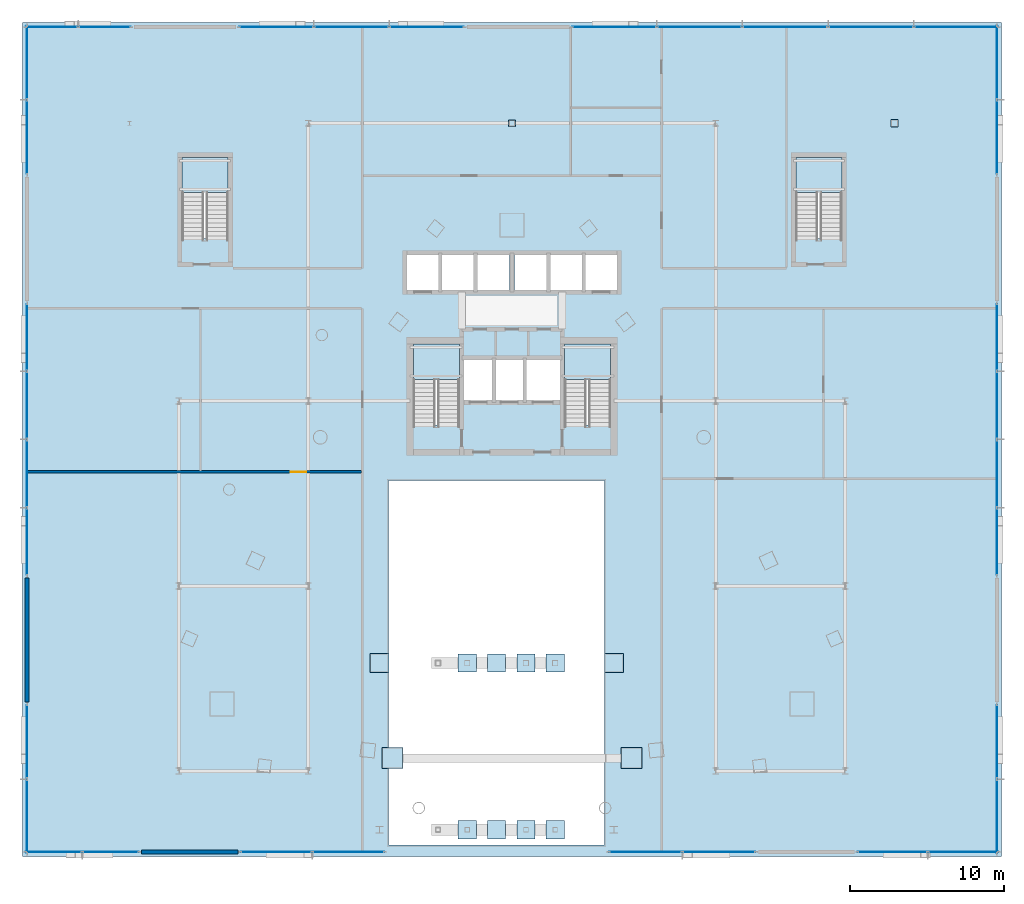
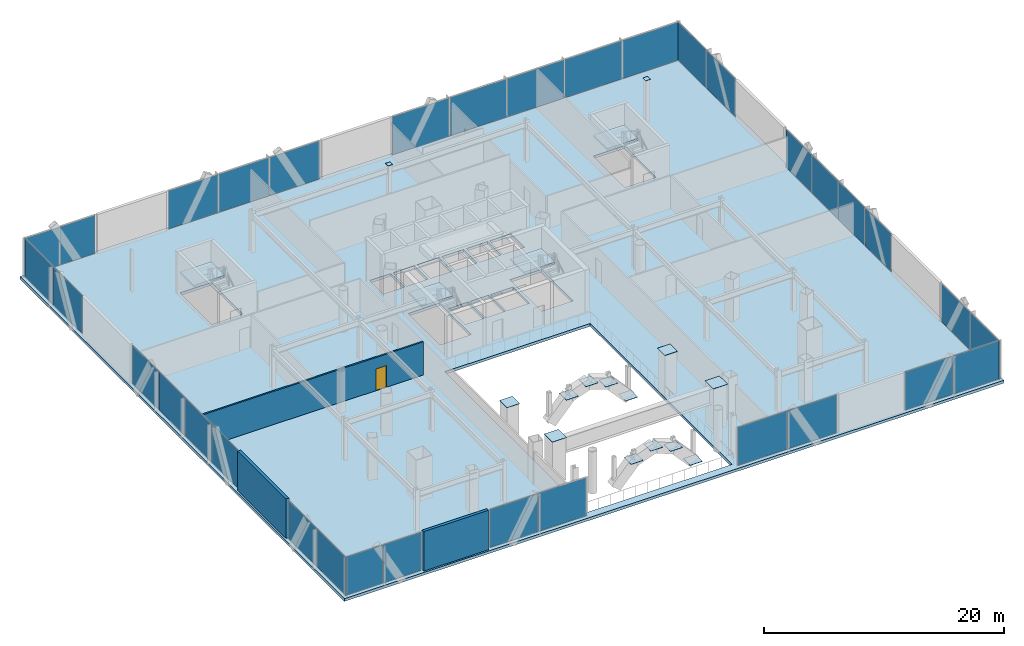
# One storey, part 32 of 42: 48 plates, 5 slabs, 3 walls, 1 door, 1 opening, 17 elements without a shape of their own.
"""IFC4 building model written with IfcOpenShell, lengths in metres."""

import ifcopenshell
import ifcopenshell.guid

model = None  # the IFC model being written
_history = None  # IfcOwnerHistory: only IFC2X3 demands one
_inside = {}  # id of a spatial element -> (the spatial element, [elements in it])
_under = {}  # id of a project, library or spatial element -> (it, [spatial elements below it])
_declared = {}  # id of a project -> (the project, [libraries it declares])
_typed = {}  # id of a type object -> (the type object, [elements of that type])
_made_of = {}  # id of a material, layer set ... -> (it, [elements and type objects made of it])


def new_model(schema):
    """Start an empty IFC model of exactly this schema.

    Asked for "IFC4X3", IfcOpenShell would pick the latest addendum, in which some entities
    have other attributes; the version numbers below select the first issue.
    IFC2X3 requires an IfcOwnerHistory on every rooted entity: one is made here for all.
    """
    global model, _history
    if schema == "IFC4X3":
        model = ifcopenshell.file(schema_version=(4, 3, 0, 0))
    else:
        model = ifcopenshell.file(schema=schema)
    _inside.clear()
    _under.clear()
    _declared.clear()
    _typed.clear()
    _made_of.clear()
    _history = None
    if model.schema == "IFC2X3":
        org = make("IfcOrganization", Name="unknown")
        user = make(
            "IfcPersonAndOrganization",
            ThePerson=make("IfcPerson", FamilyName="unknown"),
            TheOrganization=org,
        )
        app = make(
            "IfcApplication",
            ApplicationDeveloper=org,
            Version="unknown",
            ApplicationFullName="unknown",
            ApplicationIdentifier="unknown",
        )
        _history = make(
            "IfcOwnerHistory",
            OwningUser=user,
            OwningApplication=app,
            ChangeAction="ADDED",
            CreationDate=0,
        )
    return model


def make(cls, **values):
    """One entity of the class cls with the attributes given. An attribute that is None is left unset."""
    return model.create_entity(
        cls, **{name: value for name, value in values.items() if value is not None}
    )


def rooted(cls, **values):
    """An entity with a GlobalId (a new one), such as an element, a storey or a relation."""
    return make(cls, GlobalId=ifcopenshell.guid.new(), OwnerHistory=_history, **values)


def si_unit(unit_type, name, prefix=None):
    """IfcSIUnit, for example si_unit("LENGTHUNIT", "METRE", prefix="MILLI")."""
    return make("IfcSIUnit", UnitType=unit_type, Prefix=prefix, Name=name)


def assignment(units):
    """IfcUnitAssignment: the units of a project."""
    return None if units is None else make("IfcUnitAssignment", Units=units)


def point(xyz):
    """IfcCartesianPoint."""
    return None if xyz is None else make("IfcCartesianPoint", Coordinates=xyz)


def direction(xyz):
    """IfcDirection."""
    return None if xyz is None else make("IfcDirection", DirectionRatios=xyz)


def frame(location, z_axis=None, x_axis=None):
    """IfcAxis2Placement3D, a coordinate frame: its origin and axes. An axis left out is left unset."""
    return make(
        "IfcAxis2Placement3D",
        Location=point(location),
        Axis=direction(z_axis),
        RefDirection=direction(x_axis),
    )


def frame_2d(location, x_axis=None):
    """IfcAxis2Placement2D, a coordinate frame in the plane: its origin and x axis."""
    return make(
        "IfcAxis2Placement2D", Location=point(location), RefDirection=direction(x_axis)
    )


def origin():
    """The frame at (0, 0, 0) with its axes left unset."""
    return frame((0.0, 0.0, 0.0))


def origin_2d():
    """The frame at (0, 0) in the plane with its x axis left unset."""
    return frame_2d((0.0, 0.0))


def place(relative_to, where):
    """IfcLocalPlacement: puts the frame where relative to a parent placement (None: the world)."""
    return make(
        "IfcLocalPlacement", PlacementRelTo=relative_to, RelativePlacement=where
    )


def context(
    kind, dimensions, precision=None, world=None, true_north=None, identifier=None
):
    """IfcGeometricRepresentationContext, for example the 3D "Model" context."""
    return make(
        "IfcGeometricRepresentationContext",
        ContextIdentifier=identifier,
        ContextType=kind,
        CoordinateSpaceDimension=dimensions,
        Precision=precision,
        WorldCoordinateSystem=world,
        TrueNorth=true_north,
    )


def subcontext(parent, identifier, kind, view, scale=None):
    """IfcGeometricRepresentationSubContext, for example "Body" below "Model"."""
    return make(
        "IfcGeometricRepresentationSubContext",
        ContextIdentifier=identifier,
        ContextType=kind,
        ParentContext=parent,
        TargetScale=scale,
        TargetView=view,
    )


def project(units=None, contexts=None):
    """IfcProject with its units and contexts."""
    return rooted(
        "IfcProject",
        Name="project",
        RepresentationContexts=contexts,
        UnitsInContext=assignment(units),
    )


def spatial(cls, under=None, at=None, **own):
    """A site, building, storey or space (cls), placed at a placement, below another one or the project."""
    s = rooted(cls, ObjectPlacement=at, **own)
    if under is not None:
        _under.setdefault(under.id(), (under, []))[1].append(s)
    return s


def polyline(points):
    """IfcPolyline through the points."""
    return make("IfcPolyline", Points=[point(p) for p in points])


def profile(cls, at=None, kind="AREA", **sizes):
    """A parametric profile (cls). Its sizes go by their IFC names, for example OverallWidth=200.0."""
    return make(cls, ProfileType=kind, Position=at, **sizes)


def rectangle(**sizes):
    """IfcRectangleProfileDef."""
    return profile("IfcRectangleProfileDef", **sizes)


def outline(outer, holes=None, kind="AREA"):
    """IfcArbitraryClosedProfileDef: a profile drawn as a closed curve; with holes, ...WithVoids."""
    if holes is None:
        return make("IfcArbitraryClosedProfileDef", ProfileType=kind, OuterCurve=outer)
    return make(
        "IfcArbitraryProfileDefWithVoids",
        ProfileType=kind,
        OuterCurve=outer,
        InnerCurves=holes,
    )


def extrude(swept, where, along, depth):
    """IfcExtrudedAreaSolid: the profile swept, set in the frame where, extruded along a direction by depth."""
    return make(
        "IfcExtrudedAreaSolid",
        SweptArea=swept,
        Position=where,
        ExtrudedDirection=direction(along),
        Depth=depth,
    )


def shape(context_of_items, identifier, shape_type, items):
    """IfcShapeRepresentation: the items that make up one representation, for example the "Body"."""
    return make(
        "IfcShapeRepresentation",
        ContextOfItems=context_of_items,
        RepresentationIdentifier=identifier,
        RepresentationType=shape_type,
        Items=items,
    )


def material(Name=None, Category=None):
    """IfcMaterial."""
    return make("IfcMaterial", Name=Name, Category=Category)


def layer(
    of_material, thickness, ventilated=None, Name=None, Category=None, Priority=None
):
    """IfcMaterialLayer: one layer of a wall or slab, of a material (None: an air gap)."""
    return make(
        "IfcMaterialLayer",
        Material=of_material,
        LayerThickness=thickness,
        IsVentilated=ventilated,
        Name=Name,
        Category=Category,
        Priority=Priority,
    )


def layer_set(layers, Name=None):
    """IfcMaterialLayerSet."""
    return make("IfcMaterialLayerSet", MaterialLayers=layers, LayerSetName=Name)


def made_of(thing, what):
    """Note that an element or type object is made of a material, layer set ...; save() writes the relation."""
    if what is not None:
        _made_of.setdefault(what.id(), (what, []))[1].append(thing)
    return thing


def type_object(cls, material=None, **own):
    """A type object (cls), such as IfcWallType, which elements share."""
    return made_of(rooted(cls, **own), material)


def element(
    cls,
    number,
    at=None,
    inside=None,
    cuts=None,
    type_object=None,
    material=None,
    context=None,
    identifier="Body",
    shape_type=None,
    held_by="IfcProductDefinitionShape",
    body=None,
    shapes=None,
    **own,
):
    """One element of the class cls, such as IfcWall. Its Tag is "e" and its number.

    at: its placement. inside: the storey or other place that contains it. cuts: it is an
    opening in that element (IfcRelVoidsElement). A single representation is given by context,
    identifier, shape_type and body (its items); several are given by shapes. held_by: the class
    of the entity that holds the representations. save() writes the other relations.
    """
    e = rooted(cls, Tag="e%d" % number, ObjectPlacement=at, **own)
    if body is not None:
        shapes = [shape(context, identifier, shape_type, body)]
    if shapes is not None:
        e.Representation = make(held_by, Representations=shapes)
    if inside is not None:
        _inside.setdefault(inside.id(), (inside, []))[1].append(e)
    if cuts is not None:
        rooted(
            "IfcRelVoidsElement", RelatingBuildingElement=cuts, RelatedOpeningElement=e
        )
    if type_object is not None:
        _typed.setdefault(type_object.id(), (type_object, []))[1].append(e)
    return made_of(e, material)


def fill(opening, filler):
    """IfcRelFillsElement: the door or window that sits in an opening."""
    return rooted(
        "IfcRelFillsElement",
        RelatingOpeningElement=opening,
        RelatedBuildingElement=filler,
    )


def aggregate(whole, parts):
    """IfcRelAggregates: a whole, such as a stair, and the parts it consists of."""
    return rooted("IfcRelAggregates", RelatingObject=whole, RelatedObjects=parts)


def save(model, path):
    """Write the relations noted so far, then the file.

    IfcRelAggregates (storeys below a building ...), IfcRelContainedInSpatialStructure (elements
    in a storey), IfcRelDefinesByType, IfcRelAssociatesMaterial and IfcRelDeclares: one each for
    every whole, place, type object, material and project.
    """
    for whole, parts in _under.values():
        aggregate(whole, parts)
    for where, things in _inside.values():
        rooted(
            "IfcRelContainedInSpatialStructure",
            RelatedElements=things,
            RelatingStructure=where,
        )
    for kind, things in _typed.values():
        rooted("IfcRelDefinesByType", RelatedObjects=things, RelatingType=kind)
    for what, things in _made_of.values():
        rooted("IfcRelAssociatesMaterial", RelatedObjects=things, RelatingMaterial=what)
    for by, libraries in _declared.values():
        rooted("IfcRelDeclares", RelatingContext=by, RelatedDefinitions=libraries)
    model.write(path)


model = new_model("IFC4")

# Units and contexts
model_context = context("Model", 3, precision=1e-05, world=origin(), true_north=direction((0.0, 1.0)))
body_context = subcontext(model_context, "Body", "Model", "MODEL_VIEW")
ifc_project = project(units=[si_unit("LENGTHUNIT", "METRE"), si_unit("AREAUNIT", "SQUARE_METRE"), si_unit("VOLUMEUNIT", "CUBIC_METRE"), si_unit("PLANEANGLEUNIT", "RADIAN"), si_unit("MASSUNIT", "GRAM", prefix="KILO")], contexts=[model_context])

# Site, building, storey
site_placement = place(None, origin())
site = spatial("IfcSite", under=ifc_project, at=site_placement, CompositionType="ELEMENT")
building_placement = place(site_placement, origin())
building = spatial("IfcBuilding", under=site, at=building_placement, Name="Orvanel Arch Residences", CompositionType="ELEMENT")
storey_placement = place(building_placement, frame((0.0, 0.0, 9.800048828125)))
storey = spatial("IfcBuildingStorey", under=building, at=storey_placement, Name="L02", CompositionType="ELEMENT", Elevation=9.800048828125)

# Plates
ifc_material_1 = material(Name="Structural steel AS/NZS 3678 Grade 350", Category="steel")
ifc_layer_1 = layer(ifc_material_1, 0.028076171875)
ifc_layer_set_1 = layer_set([ifc_layer_1], Name="Structural steel AS/NZS 3678 Grade 350")
plate_type_1 = type_object("IfcPlateType", Name="PL-CAP-28", PredefinedType="SHEET", material=ifc_layer_set_1)
for number, where, z_axis, x_axis, name in (
    (1, (25.25, 6.843994140625, 4.2861328125), (0.0, 0.0, 1.0), (1.0, 0.0, 0.0), "L02 hollow member end cap plate"),
    (2, (40.75, 6.843994140625, 4.2861328125), (0.0, 0.0, 1.0), (1.0, 0.0, 0.0), "L02 hollow member end cap plate"),
):
    element("IfcPlate", number, at=place(storey_placement, frame(where, z_axis=z_axis, x_axis=x_axis)), inside=storey, type_object=plate_type_1, Name=name, PredefinedType="SHEET", context=body_context, shape_type="SweptSolid", body=[
        extrude(rectangle(XDim=1.3798828125, YDim=1.3798828125, at=origin_2d()), origin(), (0.0, 0.0, 1.0), 0.028076171875),
    ])
for number, where, z_axis, x_axis, name in (
    (3, (24.39990234375, 13.0, 4.2861328125), (0.0, 0.0, 1.0), (1.0, 0.0, 0.0), "L02 hollow member end cap plate"),
    (4, (39.60009765625, 13.0, 4.2861328125), (0.0, 0.0, 1.0), (1.0, 0.0, 0.0), "L02 hollow member end cap plate"),
):
    element("IfcPlate", number, at=place(storey_placement, frame(where, z_axis=z_axis, x_axis=x_axis)), inside=storey, type_object=plate_type_1, Name=name, PredefinedType="SHEET", context=body_context, shape_type="SweptSolid", body=[
        extrude(rectangle(XDim=1.22998046875, YDim=1.22998046875, at=origin_2d()), origin(), (0.0, 0.0, 1.0), 0.028076171875),
    ])
for number, where, z_axis, x_axis, name in (
    (5, (30.10009765625, 13.0, 3.0390625), (0.0, 0.0, 1.0), (1.0, 0.0, 0.0), "L02 hollow member end cap plate"),
    (6, (32.0, 13.0, 3.73583984375), (0.0, 0.0, 1.0), (1.0, 0.0, 0.0), "L02 hollow member end cap plate"),
    (7, (33.89990234375, 13.0, 3.0390625), (0.0, 0.0, 1.0), (1.0, 0.0, 0.0), "L02 hollow member end cap plate"),
    (8, (35.800048828125, 13.0, 0.94873046875), (0.0, 0.0, 1.0), (1.0, 0.0, 0.0), "L02 hollow member end cap plate"),
):
    element("IfcPlate", number, at=place(storey_placement, frame(where, z_axis=z_axis, x_axis=x_axis)), inside=storey, type_object=plate_type_1, Name=name, PredefinedType="SHEET", context=body_context, shape_type="SweptSolid", body=[
        extrude(rectangle(XDim=1.179931640625, YDim=1.179931640625, at=origin_2d()), origin(), (0.0, 0.0, 1.0), 0.028076171875),
    ])
plate_1_placement = place(storey_placement, frame((57.800048828125, 48.0, 4.2861328125), z_axis=(0.0, 0.0, 1.0), x_axis=(1.0, 0.0, 0.0)))
element("IfcPlate", 9, at=plate_1_placement, inside=storey, type_object=plate_type_1, Name="L02 hollow member end cap plate", PredefinedType="SHEET", context=body_context, shape_type="SweptSolid", body=[
    extrude(rectangle(XDim=0.47998046875, YDim=0.47998046875, at=origin_2d()), origin(), (0.0, 0.0, 1.0), 0.028076171875),
])
plate_2_placement = place(storey_placement, frame((33.0, 48.0, 4.2861328125), z_axis=(0.0, 0.0, 1.0), x_axis=(1.0, 0.0, 0.0)))
element("IfcPlate", 10, at=plate_2_placement, inside=storey, type_object=plate_type_1, Name="L02 hollow member end cap plate", PredefinedType="SHEET", context=body_context, shape_type="SweptSolid", body=[
    extrude(rectangle(XDim=0.429931640625, YDim=0.429931640625, at=origin_2d()), origin(), (0.0, 0.0, 1.0), 0.028076171875),
])
ifc_layer_2 = layer(ifc_material_1, 0.031982421875)
ifc_layer_set_2 = layer_set([ifc_layer_2], Name="Structural steel AS/NZS 3678 Grade 350")
plate_type_2 = type_object("IfcPlateType", Name="PL-CAP-32", PredefinedType="SHEET", material=ifc_layer_set_2)
for number, where, z_axis, x_axis, name in (
    (11, (30.10009765625, 2.199951171875, 3.037109375), (0.0, 0.0, 1.0), (1.0, 0.0, 0.0), "L02 hollow member end cap plate"),
    (12, (32.0, 2.199951171875, 3.73388671875), (0.0, 0.0, 1.0), (1.0, 0.0, 0.0), "L02 hollow member end cap plate"),
    (13, (33.89990234375, 2.199951171875, 3.037109375), (0.0, 0.0, 1.0), (1.0, 0.0, 0.0), "L02 hollow member end cap plate"),
    (14, (35.800048828125, 2.199951171875, 0.94677734375), (0.0, 0.0, 1.0), (1.0, 0.0, 0.0), "L02 hollow member end cap plate"),
):
    element("IfcPlate", number, at=place(storey_placement, frame(where, z_axis=z_axis, x_axis=x_axis)), inside=storey, type_object=plate_type_2, Name=name, PredefinedType="SHEET", context=body_context, shape_type="SweptSolid", body=[
        extrude(rectangle(XDim=1.179931640625, YDim=1.179931640625, at=origin_2d()), origin(), (0.0, 0.0, 1.0), 0.031982421875),
    ])

# Curtain wall, plates
ifc_material_2 = material(Name="Bronze-anodised aluminium AA6063-T6", Category="aluminium")
ifc_layer_3 = layer(ifc_material_2, 0.199951171875)
ifc_layer_set_3 = layer_set([ifc_layer_3], Name="Bronze-anodised aluminium AA6063-T6")
curtain_wall_type = type_object("IfcCurtainWallType", Name="CW1-POD-SYS", PredefinedType="NOTDEFINED", material=ifc_layer_set_3)
curtain_wall_1_placement = place(storey_placement, origin())
curtain_wall_1 = element("IfcCurtainWall", 15, at=curtain_wall_1_placement, inside=storey, type_object=curtain_wall_type, Name="L02 CW1-POD-SYS Unitised Curtain Wall", PredefinedType="NOTDEFINED")
ifc_material_3 = material(Name="Double-glazed solar-control low-E safety glass", Category="glass")
ifc_layer_4 = layer(ifc_material_3, 0.031982421875)
ifc_layer_set_4 = layer_set([ifc_layer_4], Name="Double-glazed solar-control low-E safety glass")
plate_type_3 = type_object("IfcPlateType", Name="PNL-GLZ-32", PredefinedType="CURTAIN_PANEL", material=ifc_layer_set_4)
plate_3_placement = place(storey_placement, frame((3.291259765625, 0.75, 0.06494140625), z_axis=(0.0, 0.0, 1.0), x_axis=(1.0, 0.0, 0.0)))
plate_3 = element("IfcPlate", 16, at=plate_3_placement, type_object=plate_type_3, Name="CW-S1 panel 1.1", PredefinedType="CURTAIN_PANEL", context=body_context, shape_type="SweptSolid", body=[
    extrude(rectangle(XDim=3.612548828125, YDim=0.031982421875, at=origin_2d()), origin(), (0.0, 0.0, 1.0), 3.889892578125),
])
plate_4_placement = place(storey_placement, frame((6.978759765625, 0.75, 0.06494140625), z_axis=(0.0, 0.0, 1.0), x_axis=(1.0, 0.0, 0.0)))
plate_4 = element("IfcPlate", 17, at=plate_4_placement, type_object=plate_type_3, Name="CW-S1 panel 2.1", PredefinedType="CURTAIN_PANEL", context=body_context, shape_type="SweptSolid", body=[
    extrude(rectangle(XDim=3.612548828125, YDim=0.031982421875, at=origin_2d()), origin(), (0.0, 0.0, 1.0), 3.889892578125),
])
aggregate(curtain_wall_1, [plate_3, plate_4])

curtain_wall_2_placement = place(storey_placement, origin())
curtain_wall_2 = element("IfcCurtainWall", 18, at=curtain_wall_2_placement, inside=storey, type_object=curtain_wall_type, Name="L02 CW1-POD-SYS Unitised Curtain Wall", PredefinedType="NOTDEFINED")
plate_5_placement = place(storey_placement, frame((17.71875, 0.75, 0.06494140625), z_axis=(0.0, 0.0, 1.0), x_axis=(1.0, 0.0, 0.0)))
plate_5 = element("IfcPlate", 19, at=plate_5_placement, type_object=plate_type_3, Name="CW-S1 panel 1.1", PredefinedType="CURTAIN_PANEL", context=body_context, shape_type="SweptSolid", body=[
    extrude(rectangle(XDim=4.607421875, YDim=0.031982421875, at=origin_2d()), origin(), (0.0, 0.0, 1.0), 3.889892578125),
])
plate_6_placement = place(storey_placement, frame((22.4013671875, 0.75, 0.06494140625), z_axis=(0.0, 0.0, 1.0), x_axis=(1.0, 0.0, 0.0)))
plate_6 = element("IfcPlate", 20, at=plate_6_placement, type_object=plate_type_3, Name="CW-S1 panel 2.1", PredefinedType="CURTAIN_PANEL", context=body_context, shape_type="SweptSolid", body=[
    extrude(rectangle(XDim=4.607421875, YDim=0.031982421875, at=origin_2d()), origin(), (0.0, 0.0, 1.0), 3.889892578125),
])
aggregate(curtain_wall_2, [plate_5, plate_6])

curtain_wall_3_placement = place(storey_placement, origin())
curtain_wall_3 = element("IfcCurtainWall", 21, at=curtain_wall_3_placement, inside=storey, type_object=curtain_wall_type, Name="L02 CW1-POD-SYS Unitised Curtain Wall", PredefinedType="NOTDEFINED")
plate_7_placement = place(storey_placement, frame((41.648681640625, 0.75, 0.06494140625), z_axis=(0.0, 0.0, 1.0), x_axis=(1.0, 0.0, 0.0)))
plate_7 = element("IfcPlate", 22, at=plate_7_placement, type_object=plate_type_3, Name="CW-S1 panel 1.1", PredefinedType="CURTAIN_PANEL", context=body_context, shape_type="SweptSolid", body=[
    extrude(rectangle(XDim=4.70751953125, YDim=0.031982421875, at=origin_2d()), origin(), (0.0, 0.0, 1.0), 3.889892578125),
])
plate_8_placement = place(storey_placement, frame((46.43115234375, 0.75, 0.06494140625), z_axis=(0.0, 0.0, 1.0), x_axis=(1.0, 0.0, 0.0)))
plate_8 = element("IfcPlate", 23, at=plate_8_placement, type_object=plate_type_3, Name="CW-S1 panel 2.1", PredefinedType="CURTAIN_PANEL", context=body_context, shape_type="SweptSolid", body=[
    extrude(rectangle(XDim=4.70751953125, YDim=0.031982421875, at=origin_2d()), origin(), (0.0, 0.0, 1.0), 3.889892578125),
])
aggregate(curtain_wall_3, [plate_7, plate_8])

curtain_wall_4_placement = place(storey_placement, origin())
curtain_wall_4 = element("IfcCurtainWall", 24, at=curtain_wall_4_placement, inside=storey, type_object=curtain_wall_type, Name="L02 CW1-POD-SYS Unitised Curtain Wall", PredefinedType="NOTDEFINED")
plate_9_placement = place(storey_placement, frame((57.671142578125, 0.75, 0.06494140625), z_axis=(0.0, 0.0, 1.0), x_axis=(1.0, 0.0, 0.0)))
plate_9 = element("IfcPlate", 25, at=plate_9_placement, type_object=plate_type_3, Name="CW-S1 panel 1.1", PredefinedType="CURTAIN_PANEL", context=body_context, shape_type="SweptSolid", body=[
    extrude(rectangle(XDim=4.512451171875, YDim=0.031982421875, at=origin_2d()), origin(), (0.0, 0.0, 1.0), 3.889892578125),
])
plate_10_placement = place(storey_placement, frame((62.2587890625, 0.75, 0.06494140625), z_axis=(0.0, 0.0, 1.0), x_axis=(1.0, 0.0, 0.0)))
plate_10 = element("IfcPlate", 26, at=plate_10_placement, type_object=plate_type_3, Name="CW-S1 panel 2.1", PredefinedType="CURTAIN_PANEL", context=body_context, shape_type="SweptSolid", body=[
    extrude(rectangle(XDim=4.512451171875, YDim=0.031982421875, at=origin_2d()), origin(), (0.0, 0.0, 1.0), 3.889892578125),
])
aggregate(curtain_wall_4, [plate_9, plate_10])

curtain_wall_5_placement = place(storey_placement, origin())
curtain_wall_5 = element("IfcCurtainWall", 27, at=curtain_wall_5_placement, inside=storey, type_object=curtain_wall_type, Name="L02 CW1-POD-SYS Unitised Curtain Wall", PredefinedType="NOTDEFINED")
plate_11_placement = place(storey_placement, frame((61.796142578125, 54.25, 0.06494140625), z_axis=(0.0, 0.0, 1.0), x_axis=(-1.0, 0.0, 0.0)))
plate_11 = element("IfcPlate", 28, at=plate_11_placement, type_object=plate_type_3, Name="CW-S1 panel 1.1", PredefinedType="CURTAIN_PANEL", context=body_context, shape_type="SweptSolid", body=[
    extrude(rectangle(XDim=5.4375, YDim=0.031982421875, at=origin_2d()), origin(), (0.0, 0.0, 1.0), 3.889892578125),
])
plate_12_placement = place(storey_placement, frame((56.264892578125, 54.25, 0.06494140625), z_axis=(0.0, 0.0, 1.0), x_axis=(-1.0, 0.0, 0.0)))
plate_12 = element("IfcPlate", 29, at=plate_12_placement, type_object=plate_type_3, Name="CW-S1 panel 2.1", PredefinedType="CURTAIN_PANEL", context=body_context, shape_type="SweptSolid", body=[
    extrude(rectangle(XDim=5.47509765625, YDim=0.031982421875, at=origin_2d()), origin(), (0.0, 0.0, 1.0), 3.889892578125),
])
plate_13_placement = place(storey_placement, frame((50.715087890625, 54.25, 0.06494140625), z_axis=(0.0, 0.0, 1.0), x_axis=(-1.0, 0.0, 0.0)))
plate_13 = element("IfcPlate", 30, at=plate_13_placement, type_object=plate_type_3, Name="CW-S1 panel 3.1", PredefinedType="CURTAIN_PANEL", context=body_context, shape_type="SweptSolid", body=[
    extrude(rectangle(XDim=5.47509765625, YDim=0.031982421875, at=origin_2d()), origin(), (0.0, 0.0, 1.0), 3.889892578125),
])
plate_14_placement = place(storey_placement, frame((45.1650390625, 54.25, 0.06494140625), z_axis=(0.0, 0.0, 1.0), x_axis=(-1.0, 0.0, 0.0)))
plate_14 = element("IfcPlate", 31, at=plate_14_placement, type_object=plate_type_3, Name="CW-S1 panel 4.1", PredefinedType="CURTAIN_PANEL", context=body_context, shape_type="SweptSolid", body=[
    extrude(rectangle(XDim=5.47509765625, YDim=0.031982421875, at=origin_2d()), origin(), (0.0, 0.0, 1.0), 3.889892578125),
])
plate_15_placement = place(storey_placement, frame((39.6337890625, 54.25, 0.06494140625), z_axis=(0.0, 0.0, 1.0), x_axis=(-1.0, 0.0, 0.0)))
plate_15 = element("IfcPlate", 32, at=plate_15_placement, type_object=plate_type_3, Name="CW-S1 panel 5.1", PredefinedType="CURTAIN_PANEL", context=body_context, shape_type="SweptSolid", body=[
    extrude(rectangle(XDim=5.4375, YDim=0.031982421875, at=origin_2d()), origin(), (0.0, 0.0, 1.0), 3.889892578125),
])
aggregate(curtain_wall_5, [plate_11, plate_12, plate_13, plate_14, plate_15])

curtain_wall_6_placement = place(storey_placement, origin())
curtain_wall_6 = element("IfcCurtainWall", 33, at=curtain_wall_6_placement, inside=storey, type_object=curtain_wall_type, Name="L02 CW1-POD-SYS Unitised Curtain Wall", PredefinedType="NOTDEFINED")
plate_16_placement = place(storey_placement, frame((27.488037109375, 54.25, 0.06494140625), z_axis=(0.0, 0.0, 1.0), x_axis=(-1.0, 0.0, 0.0)))
plate_16 = element("IfcPlate", 34, at=plate_16_placement, type_object=plate_type_3, Name="CW-S1 panel 1.1", PredefinedType="CURTAIN_PANEL", context=body_context, shape_type="SweptSolid", body=[
    extrude(rectangle(XDim=4.794189453125, YDim=0.031982421875, at=origin_2d()), origin(), (0.0, 0.0, 1.0), 3.889892578125),
])
plate_17_placement = place(storey_placement, frame((22.60009765625, 54.25, 0.06494140625), z_axis=(0.0, 0.0, 1.0), x_axis=(-1.0, 0.0, 0.0)))
plate_17 = element("IfcPlate", 35, at=plate_17_placement, type_object=plate_type_3, Name="CW-S1 panel 2.1", PredefinedType="CURTAIN_PANEL", context=body_context, shape_type="SweptSolid", body=[
    extrude(rectangle(XDim=4.831787109375, YDim=0.031982421875, at=origin_2d()), origin(), (0.0, 0.0, 1.0), 3.889892578125),
])
plate_18_placement = place(storey_placement, frame((17.712158203125, 54.25, 0.06494140625), z_axis=(0.0, 0.0, 1.0), x_axis=(-1.0, 0.0, 0.0)))
plate_18 = element("IfcPlate", 36, at=plate_18_placement, type_object=plate_type_3, Name="CW-S1 panel 3.1", PredefinedType="CURTAIN_PANEL", context=body_context, shape_type="SweptSolid", body=[
    extrude(rectangle(XDim=4.794189453125, YDim=0.031982421875, at=origin_2d()), origin(), (0.0, 0.0, 1.0), 3.889892578125),
])
aggregate(curtain_wall_6, [plate_16, plate_17, plate_18])

curtain_wall_7_placement = place(storey_placement, origin())
curtain_wall_7 = element("IfcCurtainWall", 37, at=curtain_wall_7_placement, inside=storey, type_object=curtain_wall_type, Name="L02 CW1-POD-SYS Unitised Curtain Wall", PredefinedType="NOTDEFINED")
plate_19_placement = place(storey_placement, frame((6.603759765625, 54.25, 0.06494140625), z_axis=(0.0, 0.0, 1.0), x_axis=(-1.0, 0.0, 0.0)))
plate_19 = element("IfcPlate", 38, at=plate_19_placement, type_object=plate_type_3, Name="CW-S1 panel 1.1", PredefinedType="CURTAIN_PANEL", context=body_context, shape_type="SweptSolid", body=[
    extrude(rectangle(XDim=3.362548828125, YDim=0.031982421875, at=origin_2d()), origin(), (0.0, 0.0, 1.0), 3.889892578125),
])
plate_20_placement = place(storey_placement, frame((3.166259765625, 54.25, 0.06494140625), z_axis=(0.0, 0.0, 1.0), x_axis=(-1.0, 0.0, 0.0)))
plate_20 = element("IfcPlate", 39, at=plate_20_placement, type_object=plate_type_3, Name="CW-S1 panel 2.1", PredefinedType="CURTAIN_PANEL", context=body_context, shape_type="SweptSolid", body=[
    extrude(rectangle(XDim=3.362548828125, YDim=0.031982421875, at=origin_2d()), origin(), (0.0, 0.0, 1.0), 3.889892578125),
])
aggregate(curtain_wall_7, [plate_19, plate_20])

curtain_wall_8_placement = place(storey_placement, origin())
curtain_wall_8 = element("IfcCurtainWall", 40, at=curtain_wall_8_placement, inside=storey, type_object=curtain_wall_type, Name="L02 CW1-POD-SYS Unitised Curtain Wall", PredefinedType="NOTDEFINED")
plate_21_placement = place(storey_placement, frame((64.449951171875, 3.066162109375, 0.06494140625), z_axis=(0.0, 0.0, 1.0), x_axis=(0.0, 1.0, 0.0)))
plate_21 = element("IfcPlate", 41, at=plate_21_placement, type_object=plate_type_3, Name="CW-S1 panel 1.1", PredefinedType="CURTAIN_PANEL", context=body_context, shape_type="SweptSolid", body=[
    extrude(rectangle(XDim=4.762451171875, YDim=0.031982421875, at=origin_2d()), origin(), (0.0, 0.0, 1.0), 3.889892578125),
])
plate_22_placement = place(storey_placement, frame((64.449951171875, 7.90380859375, 0.06494140625), z_axis=(0.0, 0.0, 1.0), x_axis=(0.0, 1.0, 0.0)))
plate_22 = element("IfcPlate", 42, at=plate_22_placement, type_object=plate_type_3, Name="CW-S1 panel 2.1", PredefinedType="CURTAIN_PANEL", context=body_context, shape_type="SweptSolid", body=[
    extrude(rectangle(XDim=4.762451171875, YDim=0.031982421875, at=origin_2d()), origin(), (0.0, 0.0, 1.0), 3.889892578125),
])
aggregate(curtain_wall_8, [plate_21, plate_22])

curtain_wall_9_placement = place(storey_placement, origin())
curtain_wall_9 = element("IfcCurtainWall", 43, at=curtain_wall_9_placement, inside=storey, type_object=curtain_wall_type, Name="L02 CW1-POD-SYS Unitised Curtain Wall", PredefinedType="NOTDEFINED")
plate_23_placement = place(storey_placement, frame((64.449951171875, 20.873779296875, 0.06494140625), z_axis=(0.0, 0.0, 1.0), x_axis=(0.0, 1.0, 0.0)))
plate_23 = element("IfcPlate", 44, at=plate_23_placement, type_object=plate_type_3, Name="CW-S1 panel 1.1", PredefinedType="CURTAIN_PANEL", context=body_context, shape_type="SweptSolid", body=[
    extrude(rectangle(XDim=4.3173828125, YDim=0.031982421875, at=origin_2d()), origin(), (0.0, 0.0, 1.0), 3.889892578125),
])
plate_24_placement = place(storey_placement, frame((64.449951171875, 25.284912109375, 0.06494140625), z_axis=(0.0, 0.0, 1.0), x_axis=(0.0, 1.0, 0.0)))
plate_24 = element("IfcPlate", 45, at=plate_24_placement, type_object=plate_type_3, Name="CW-S1 panel 2.1", PredefinedType="CURTAIN_PANEL", context=body_context, shape_type="SweptSolid", body=[
    extrude(rectangle(XDim=4.35498046875, YDim=0.031982421875, at=origin_2d()), origin(), (0.0, 0.0, 1.0), 3.889892578125),
])
plate_25_placement = place(storey_placement, frame((64.449951171875, 29.715087890625, 0.06494140625), z_axis=(0.0, 0.0, 1.0), x_axis=(0.0, 1.0, 0.0)))
plate_25 = element("IfcPlate", 46, at=plate_25_placement, type_object=plate_type_3, Name="CW-S1 panel 3.1", PredefinedType="CURTAIN_PANEL", context=body_context, shape_type="SweptSolid", body=[
    extrude(rectangle(XDim=4.35498046875, YDim=0.031982421875, at=origin_2d()), origin(), (0.0, 0.0, 1.0), 3.889892578125),
])
plate_26_placement = place(storey_placement, frame((64.449951171875, 34.126220703125, 0.06494140625), z_axis=(0.0, 0.0, 1.0), x_axis=(0.0, 1.0, 0.0)))
plate_26 = element("IfcPlate", 47, at=plate_26_placement, type_object=plate_type_3, Name="CW-S1 panel 4.1", PredefinedType="CURTAIN_PANEL", context=body_context, shape_type="SweptSolid", body=[
    extrude(rectangle(XDim=4.3173828125, YDim=0.031982421875, at=origin_2d()), origin(), (0.0, 0.0, 1.0), 3.889892578125),
])
aggregate(curtain_wall_9, [plate_23, plate_24, plate_25, plate_26])

curtain_wall_10_placement = place(storey_placement, origin())
curtain_wall_10 = element("IfcCurtainWall", 48, at=curtain_wall_10_placement, inside=storey, type_object=curtain_wall_type, Name="L02 CW1-POD-SYS Unitised Curtain Wall", PredefinedType="NOTDEFINED")
plate_27_placement = place(storey_placement, frame((64.449951171875, 47.09619140625, 0.06494140625), z_axis=(0.0, 0.0, 1.0), x_axis=(0.0, 1.0, 0.0)))
plate_27 = element("IfcPlate", 49, at=plate_27_placement, type_object=plate_type_3, Name="CW-S1 panel 1.1", PredefinedType="CURTAIN_PANEL", context=body_context, shape_type="SweptSolid", body=[
    extrude(rectangle(XDim=4.762451171875, YDim=0.031982421875, at=origin_2d()), origin(), (0.0, 0.0, 1.0), 3.889892578125),
])
plate_28_placement = place(storey_placement, frame((64.449951171875, 51.933837890625, 0.06494140625), z_axis=(0.0, 0.0, 1.0), x_axis=(0.0, 1.0, 0.0)))
plate_28 = element("IfcPlate", 50, at=plate_28_placement, type_object=plate_type_3, Name="CW-S1 panel 2.1", PredefinedType="CURTAIN_PANEL", context=body_context, shape_type="SweptSolid", body=[
    extrude(rectangle(XDim=4.762451171875, YDim=0.031982421875, at=origin_2d()), origin(), (0.0, 0.0, 1.0), 3.889892578125),
])
aggregate(curtain_wall_10, [plate_27, plate_28])

curtain_wall_11_placement = place(storey_placement, origin())
curtain_wall_11 = element("IfcCurtainWall", 51, at=curtain_wall_11_placement, inside=storey, type_object=curtain_wall_type, Name="L02 CW1-POD-SYS Unitised Curtain Wall", PredefinedType="NOTDEFINED")
plate_29_placement = place(storey_placement, frame((1.550048828125, 7.90380859375, 0.06494140625), z_axis=(0.0, 0.0, 1.0), x_axis=(0.0, -1.0, 0.0)))
plate_29 = element("IfcPlate", 52, at=plate_29_placement, type_object=plate_type_3, Name="CW-S1 panel 1.1", PredefinedType="CURTAIN_PANEL", context=body_context, shape_type="SweptSolid", body=[
    extrude(rectangle(XDim=4.762451171875, YDim=0.031982421875, at=origin_2d()), origin(), (0.0, 0.0, 1.0), 3.889892578125),
])
plate_30_placement = place(storey_placement, frame((1.550048828125, 3.066162109375, 0.06494140625), z_axis=(0.0, 0.0, 1.0), x_axis=(0.0, -1.0, 0.0)))
plate_30 = element("IfcPlate", 53, at=plate_30_placement, type_object=plate_type_3, Name="CW-S1 panel 2.1", PredefinedType="CURTAIN_PANEL", context=body_context, shape_type="SweptSolid", body=[
    extrude(rectangle(XDim=4.762451171875, YDim=0.031982421875, at=origin_2d()), origin(), (0.0, 0.0, 1.0), 3.889892578125),
])
aggregate(curtain_wall_11, [plate_29, plate_30])

curtain_wall_12_placement = place(storey_placement, origin())
curtain_wall_12 = element("IfcCurtainWall", 54, at=curtain_wall_12_placement, inside=storey, type_object=curtain_wall_type, Name="L02 CW1-POD-SYS Unitised Curtain Wall", PredefinedType="NOTDEFINED")
plate_31_placement = place(storey_placement, frame((1.550048828125, 34.126220703125, 0.06494140625), z_axis=(0.0, 0.0, 1.0), x_axis=(0.0, -1.0, 0.0)))
plate_31 = element("IfcPlate", 55, at=plate_31_placement, type_object=plate_type_3, Name="CW-S1 panel 1.1", PredefinedType="CURTAIN_PANEL", context=body_context, shape_type="SweptSolid", body=[
    extrude(rectangle(XDim=4.3173828125, YDim=0.031982421875, at=origin_2d()), origin(), (0.0, 0.0, 1.0), 3.889892578125),
])
plate_32_placement = place(storey_placement, frame((1.550048828125, 29.715087890625, 0.06494140625), z_axis=(0.0, 0.0, 1.0), x_axis=(0.0, -1.0, 0.0)))
plate_32 = element("IfcPlate", 56, at=plate_32_placement, type_object=plate_type_3, Name="CW-S1 panel 2.1", PredefinedType="CURTAIN_PANEL", context=body_context, shape_type="SweptSolid", body=[
    extrude(rectangle(XDim=4.35498046875, YDim=0.031982421875, at=origin_2d()), origin(), (0.0, 0.0, 1.0), 3.889892578125),
])
plate_33_placement = place(storey_placement, frame((1.550048828125, 25.284912109375, 0.06494140625), z_axis=(0.0, 0.0, 1.0), x_axis=(0.0, -1.0, 0.0)))
plate_33 = element("IfcPlate", 57, at=plate_33_placement, type_object=plate_type_3, Name="CW-S1 panel 3.1", PredefinedType="CURTAIN_PANEL", context=body_context, shape_type="SweptSolid", body=[
    extrude(rectangle(XDim=4.35498046875, YDim=0.031982421875, at=origin_2d()), origin(), (0.0, 0.0, 1.0), 3.889892578125),
])
plate_34_placement = place(storey_placement, frame((1.550048828125, 20.873779296875, 0.06494140625), z_axis=(0.0, 0.0, 1.0), x_axis=(0.0, -1.0, 0.0)))
plate_34 = element("IfcPlate", 58, at=plate_34_placement, type_object=plate_type_3, Name="CW-S1 panel 4.1", PredefinedType="CURTAIN_PANEL", context=body_context, shape_type="SweptSolid", body=[
    extrude(rectangle(XDim=4.3173828125, YDim=0.031982421875, at=origin_2d()), origin(), (0.0, 0.0, 1.0), 3.889892578125),
])
aggregate(curtain_wall_12, [plate_31, plate_32, plate_33, plate_34])

curtain_wall_13_placement = place(storey_placement, origin())
curtain_wall_13 = element("IfcCurtainWall", 59, at=curtain_wall_13_placement, inside=storey, type_object=curtain_wall_type, Name="L02 CW1-POD-SYS Unitised Curtain Wall", PredefinedType="NOTDEFINED")
plate_35_placement = place(storey_placement, frame((1.550048828125, 51.933837890625, 0.06494140625), z_axis=(0.0, 0.0, 1.0), x_axis=(0.0, -1.0, 0.0)))
plate_35 = element("IfcPlate", 60, at=plate_35_placement, type_object=plate_type_3, Name="CW-S1 panel 1.1", PredefinedType="CURTAIN_PANEL", context=body_context, shape_type="SweptSolid", body=[
    extrude(rectangle(XDim=4.762451171875, YDim=0.031982421875, at=origin_2d()), origin(), (0.0, 0.0, 1.0), 3.889892578125),
])
plate_36_placement = place(storey_placement, frame((1.550048828125, 47.09619140625, 0.06494140625), z_axis=(0.0, 0.0, 1.0), x_axis=(0.0, -1.0, 0.0)))
plate_36 = element("IfcPlate", 61, at=plate_36_placement, type_object=plate_type_3, Name="CW-S1 panel 2.1", PredefinedType="CURTAIN_PANEL", context=body_context, shape_type="SweptSolid", body=[
    extrude(rectangle(XDim=4.762451171875, YDim=0.031982421875, at=origin_2d()), origin(), (0.0, 0.0, 1.0), 3.889892578125),
])
aggregate(curtain_wall_13, [plate_35, plate_36])

# Stair, slab
ifc_material_4 = material(Name="Precast concrete N50 (50 MPa)", Category="concrete")
stair_type = type_object("IfcStairType", Name="STR-DOG-178", PredefinedType="USERDEFINED", material=ifc_material_4)
stair_1_placement = place(storey_placement, origin())
stair_1 = element("IfcStair", 62, at=stair_1_placement, inside=storey, type_object=stair_type, Name="L02 Fire-Isolated Core Exit Stair 1", ObjectType="TWO_RETURN_STAIR", PredefinedType="USERDEFINED")
ifc_material_5 = material(Name="Concrete N40 (40 MPa)", Category="concrete")
ifc_layer_5 = layer(ifc_material_5, 0.199951171875)
ifc_layer_set_5 = layer_set([ifc_layer_5], Name="Concrete N40 (40 MPa)")
slab_type_1 = type_object("IfcSlabType", Name="SLB-LND-200", PredefinedType="LANDING", material=ifc_layer_set_5)
slab_1_placement = place(storey_placement, frame((0.0, 0.0, 1.949951171875)))
slab_1 = element("IfcSlab", 63, at=slab_1_placement, type_object=slab_type_1, Name="ST-1 landing 1", PredefinedType="LANDING", context=body_context, shape_type="SweptSolid", body=[
    extrude(outline(polyline([(29.60009765625, 31.39990234375), (29.60009765625, 33.699951171875), (26.60009765625, 33.699951171875), (26.60009765625, 31.39990234375), (29.60009765625, 31.39990234375)])), origin(), (0.0, 0.0, 1.0), 0.199951171875),
])
aggregate(stair_1, [slab_1])

stair_2_placement = place(storey_placement, origin())
stair_2 = element("IfcStair", 64, at=stair_2_placement, inside=storey, type_object=stair_type, Name="L02 Fire-Isolated Core Exit Stair 2", ObjectType="TWO_RETURN_STAIR", PredefinedType="USERDEFINED")
slab_2_placement = place(storey_placement, frame((0.0, 0.0, 1.949951171875)))
slab_2 = element("IfcSlab", 65, at=slab_2_placement, type_object=slab_type_1, Name="ST-2 landing 1", PredefinedType="LANDING", context=body_context, shape_type="SweptSolid", body=[
    extrude(outline(polyline([(39.39990234375, 31.39990234375), (39.39990234375, 33.699951171875), (36.39990234375, 33.699951171875), (36.39990234375, 31.39990234375), (39.39990234375, 31.39990234375)])), origin(), (0.0, 0.0, 1.0), 0.199951171875),
])
aggregate(stair_2, [slab_2])

stair_3_placement = place(storey_placement, origin())
stair_3 = element("IfcStair", 66, at=stair_3_placement, inside=storey, type_object=stair_type, Name="L02 West Podium Fire-Isolated Exit Stair 3", ObjectType="TWO_RETURN_STAIR", PredefinedType="USERDEFINED")
slab_3_placement = place(storey_placement, frame((0.0, 0.0, 1.949951171875)))
slab_3 = element("IfcSlab", 67, at=slab_3_placement, type_object=slab_type_1, Name="ST-3 landing 1", PredefinedType="LANDING", context=body_context, shape_type="SweptSolid", body=[
    extrude(outline(polyline([(14.60009765625, 43.5), (14.60009765625, 45.800048828125), (11.60009765625, 45.800048828125), (11.60009765625, 43.5), (14.60009765625, 43.5)])), origin(), (0.0, 0.0, 1.0), 0.199951171875),
])
aggregate(stair_3, [slab_3])

stair_4_placement = place(storey_placement, origin())
stair_4 = element("IfcStair", 68, at=stair_4_placement, inside=storey, type_object=stair_type, Name="L02 East Podium Fire-Isolated Exit Stair 4", ObjectType="TWO_RETURN_STAIR", PredefinedType="USERDEFINED")
slab_4_placement = place(storey_placement, frame((0.0, 0.0, 1.949951171875)))
slab_4 = element("IfcSlab", 69, at=slab_4_placement, type_object=slab_type_1, Name="ST-4 landing 1", PredefinedType="LANDING", context=body_context, shape_type="SweptSolid", body=[
    extrude(outline(polyline([(54.39990234375, 43.5), (54.39990234375, 45.800048828125), (51.39990234375, 45.800048828125), (51.39990234375, 43.5), (54.39990234375, 43.5)])), origin(), (0.0, 0.0, 1.0), 0.199951171875),
])
aggregate(stair_4, [slab_4])

# Slab
ifc_layer_6 = layer(ifc_material_5, 0.280029296875)
ifc_layer_set_6 = layer_set([ifc_layer_6], Name="Concrete N40 (40 MPa)")
slab_type_2 = type_object("IfcSlabType", Name="SLB-POD-280", PredefinedType="FLOOR", material=ifc_layer_set_6)
slab_5_placement = place(storey_placement, frame((0.0, 0.0, -0.280029296875)))
element("IfcSlab", 70, at=slab_5_placement, inside=storey, type_object=slab_type_2, Name="L02 Podium Floor Slab", PredefinedType="FLOOR", context=body_context, shape_type="SweptSolid", body=[
    extrude(outline(polyline([(1.25, 0.449951171875), (64.75, 0.449951171875), (64.75, 54.550048828125), (1.25, 54.550048828125), (1.25, 0.449951171875)]), holes=[polyline([(26.60009765625, 28.429931640625), (26.60009765625, 33.699951171875), (29.60009765625, 33.699951171875), (29.60009765625, 28.429931640625), (26.60009765625, 28.429931640625)]), polyline([(36.39990234375, 28.429931640625), (36.39990234375, 33.699951171875), (39.39990234375, 33.699951171875), (39.39990234375, 28.429931640625), (36.39990234375, 28.429931640625)]), polyline([(11.60009765625, 40.530029296875), (11.60009765625, 45.800048828125), (14.60009765625, 45.800048828125), (14.60009765625, 40.530029296875), (11.60009765625, 40.530029296875)]), polyline([(51.39990234375, 40.530029296875), (51.39990234375, 45.800048828125), (54.39990234375, 45.800048828125), (54.39990234375, 40.530029296875), (51.39990234375, 40.530029296875)]), polyline([(29.89990234375, 32.64990234375), (31.75, 32.64990234375), (31.75, 29.949951171875), (29.89990234375, 29.949951171875), (29.89990234375, 32.64990234375)]), polyline([(31.89990234375, 32.64990234375), (33.75, 32.64990234375), (33.75, 29.949951171875), (31.89990234375, 29.949951171875), (31.89990234375, 32.64990234375)]), polyline([(33.89990234375, 32.64990234375), (36.10009765625, 32.64990234375), (36.10009765625, 29.949951171875), (33.89990234375, 29.949951171875), (33.89990234375, 32.64990234375)]), polyline([(26.199951171875, 39.449951171875), (28.25, 39.449951171875), (28.25, 37.199951171875), (26.199951171875, 37.199951171875), (26.199951171875, 39.449951171875)]), polyline([(37.75, 39.449951171875), (39.800048828125, 39.449951171875), (39.800048828125, 37.199951171875), (37.75, 37.199951171875), (37.75, 39.449951171875)]), polyline([(28.449951171875, 39.449951171875), (30.5, 39.449951171875), (30.5, 37.199951171875), (28.449951171875, 37.199951171875), (28.449951171875, 39.449951171875)]), polyline([(35.5, 39.449951171875), (37.550048828125, 39.449951171875), (37.550048828125, 37.199951171875), (35.5, 37.199951171875), (35.5, 39.449951171875)]), polyline([(30.75, 39.449951171875), (32.85009765625, 39.449951171875), (32.85009765625, 37.199951171875), (30.75, 37.199951171875), (30.75, 39.449951171875)]), polyline([(33.14990234375, 39.449951171875), (35.25, 39.449951171875), (35.25, 37.199951171875), (33.14990234375, 37.199951171875), (33.14990234375, 39.449951171875)]), polyline([(25.0, 24.85009765625), (39.0, 24.85009765625), (39.0, 1.199951171875), (25.0, 1.199951171875), (25.0, 24.85009765625)])]), origin(), (0.0, 0.0, 1.0), 0.280029296875),
])

# Walls
ifc_layer_7 = layer(ifc_material_4, 0.280029296875)
ifc_layer_set_7 = layer_set([ifc_layer_7], Name="Precast concrete N50 (50 MPa)")
wall_type_1 = type_object("IfcWallType", Name="EW-POD-280", PredefinedType="SOLIDWALL", material=ifc_layer_set_7)
wall_1_placement = place(storey_placement, frame((15.219970703125, 0.75, 0.0), z_axis=(0.0, 0.0, 1.0), x_axis=(-1.0, 0.0, 0.0)))
element("IfcWall", 71, at=wall_1_placement, inside=storey, type_object=wall_type_1, Name="L02 Podium Solid Spandrel Panel Wall SWP", PredefinedType="SOLIDWALL", context=body_context, shape_type="SweptSolid", body=[
    extrude(rectangle(XDim=6.239990234375, YDim=0.280029296875, at=frame_2d((3.1201171875, 0.0))), origin(), (0.0, 0.0, 1.0), 4.02001953125),
])
wall_2_placement = place(storey_placement, frame((1.550048828125, 18.52001953125, 0.0), z_axis=(0.0, 0.0, 1.0), x_axis=(0.0, -1.0, 0.0)))
element("IfcWall", 72, at=wall_2_placement, inside=storey, type_object=wall_type_1, Name="L02 Podium Solid W Panel Wall 1", PredefinedType="SOLIDWALL", context=body_context, shape_type="SweptSolid", body=[
    extrude(rectangle(XDim=8.0400390625, YDim=0.280029296875, at=frame_2d((4.02001953125, 0.0))), origin(), (0.0, 0.0, 1.0), 4.02001953125),
])

# Wall, opening, door
ifc_material_6 = material(Name="Acoustic plasterboard lined twin-stud partition", Category="gypsum")
ifc_layer_8 = layer(ifc_material_6, 0.14990234375)
ifc_layer_set_8 = layer_set([ifc_layer_8], Name="Acoustic plasterboard lined twin-stud partition")
wall_type_2 = type_object("IfcWallType", Name="W-POD-150", PredefinedType="PARTITIONING", material=ifc_layer_set_8)
wall_3_placement = place(storey_placement, frame((1.56494140625, 25.39990234375, 0.0), z_axis=(0.0, 0.0, 1.0), x_axis=(1.0, 0.0, 0.0)))
wall_3 = element("IfcWall", 73, at=wall_3_placement, inside=storey, type_object=wall_type_2, Name="L02 West Wing Split Wall", PredefinedType="PARTITIONING", context=body_context, shape_type="SweptSolid", body=[
    extrude(rectangle(XDim=21.675048828125, YDim=0.14990234375, at=frame_2d((10.83740234375, 0.0))), origin(), (0.0, 0.0, 1.0), 3.373046875),
])
opening_placement = place(wall_3_placement, frame((17.0849609375, 0.0, 0.0)))
opening = element("IfcOpeningElement", 74, at=opening_placement, cuts=wall_3, Name="Opening DP-100", PredefinedType="OPENING", context=body_context, shape_type="SweptSolid", body=[
    extrude(rectangle(XDim=1.0, YDim=2.199951171875, at=frame_2d((0.5, 1.10009765625))), frame((0.0, 0.0849609375, 0.0), z_axis=(0.0, -1.0, 0.0), x_axis=(1.0, 0.0, 0.0)), (0.0, 0.0, 1.0), 0.169921875),
])
ifc_material_7 = material(Name="Solid-core European oak veneer fire door leaf", Category="wood")
door_type = type_object("IfcDoorType", Name="DR-POD-1000", OperationType="NOTDEFINED", PredefinedType="DOOR", material=ifc_material_7)
door_placement = place(opening_placement, origin())
door = element("IfcDoor", 75, at=door_placement, inside=storey, type_object=door_type, Name="DR-L02-SWB L02 Clinical Administration Office Door", OperationType="SINGLE_SWING_LEFT", OverallHeight=2.199951171875, OverallWidth=1.0, PredefinedType="DOOR", context=body_context, shape_type="SweptSolid", body=[
    extrude(rectangle(XDim=1.0, YDim=2.199951171875, at=frame_2d((0.5, 1.10009765625))), frame((0.0, 0.02490234375, 0.0), z_axis=(0.0, -1.0, 0.0), x_axis=(1.0, 0.0, 0.0)), (0.0, 0.0, 1.0), 0.050048828125),
])
fill(opening, door)

save(model, "model.ifc")
